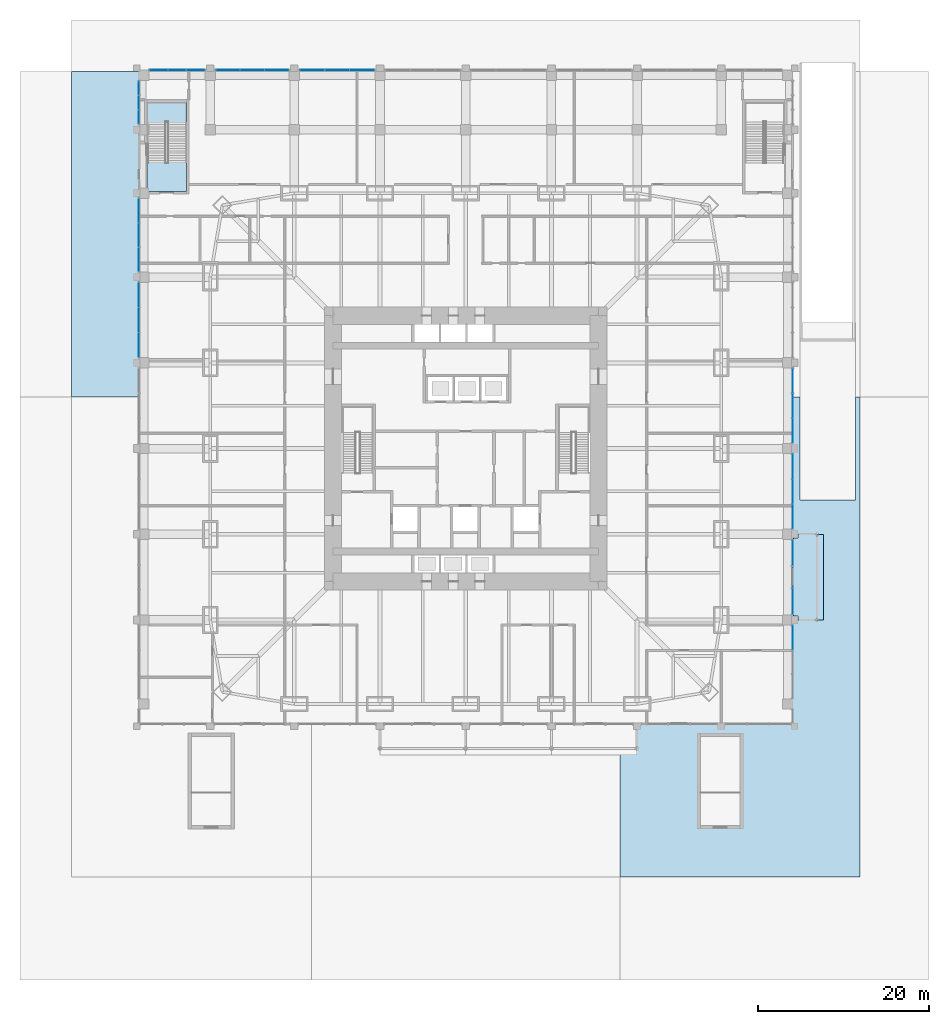
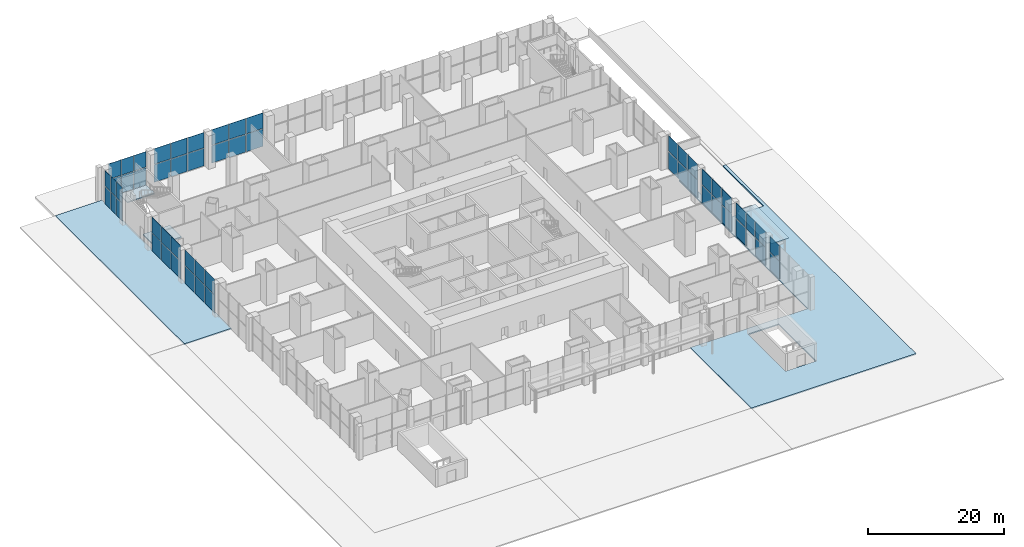
# One storey, part 20 of 31: 55 plates, 5 slabs, 13 elements without a shape of their own.
"""IFC4 building model written with IfcOpenShell, lengths in metres."""

from ifc_helpers import new_model, si_unit, direction, frame, origin, origin_2d, place, context, subcontext, project, spatial, polyline, rectangle, outline, extrude, material, layer, layer_set, type_object, element, aggregate, save


model = new_model("IFC4")

# Units and contexts
model_context = context("Model", 3, precision=1e-05, world=origin(), true_north=direction((0.0, 1.0)))
body_context = subcontext(model_context, "Body", "Model", "MODEL_VIEW")
ifc_project = project(units=[si_unit("LENGTHUNIT", "METRE"), si_unit("AREAUNIT", "SQUARE_METRE"), si_unit("VOLUMEUNIT", "CUBIC_METRE"), si_unit("PLANEANGLEUNIT", "RADIAN"), si_unit("MASSUNIT", "GRAM", prefix="KILO")], contexts=[model_context])

# Site, building, storey
site_placement = place(None, origin())
site = spatial("IfcSite", under=ifc_project, at=site_placement, CompositionType="ELEMENT")
building_placement = place(site_placement, origin())
building = spatial("IfcBuilding", under=site, at=building_placement, Name="Khuree Lantern Residences", CompositionType="ELEMENT")
storey_placement = place(building_placement, origin())
storey = spatial("IfcBuildingStorey", under=building, at=storey_placement, Name="L00", CompositionType="ELEMENT", Elevation=0.0)

# Slabs
ifc_material_1 = material(Name="Laminated glass on bronze anodised aluminium frame", Category="aluminium")
ifc_layer_1 = layer(ifc_material_1, 0.080078125)
ifc_layer_set_1 = layer_set([ifc_layer_1], Name="ENTRANCE CANOPY CN1 80")
slab_type_1 = type_object("IfcSlabType", Name="ENTRANCE CANOPY CN1 80", PredefinedType="USERDEFINED", material=ifc_layer_set_1)
slab_1_placement = place(storey_placement, frame((0.0, 0.0, 4.0)))
element("IfcSlab", 1, at=slab_1_placement, inside=storey, type_object=slab_type_1, Name="EAST FACE BAY 2 ENTRANCE CANOPY", ObjectType="Canopy", PredefinedType="USERDEFINED", context=body_context, shape_type="SweptSolid", body=[
    extrude(outline(polyline([(38.25, -19.550048828125), (38.25, -10.449951171875), (38.75, -10.449951171875), (38.75, -10.0), (41.75, -10.0), (41.75, -20.0), (38.75, -20.0), (38.75, -19.550048828125), (38.25, -19.550048828125)])), origin(), (0.0, 0.0, 1.0), 0.080078125),
])
ifc_material_2 = material(Name="Flamed granite setts on pedestals over the deck", Category="masonry")
ifc_layer_2 = layer(ifc_material_2, 0.199951171875)
ifc_layer_set_2 = layer_set([ifc_layer_2], Name="PLAZA PAVING")
slab_type_2 = type_object("IfcSlabType", Name="PLAZA PAVING", PredefinedType="USERDEFINED", material=ifc_layer_set_2)
slab_2_placement = place(storey_placement, frame((0.0, 0.0, -0.199951171875)))
element("IfcSlab", 2, at=slab_2_placement, inside=storey, type_object=slab_type_2, Name="PLAZA PAVING BAY 2", ObjectType="PAVING", PredefinedType="USERDEFINED", context=body_context, shape_type="SweptSolid", body=[
    extrude(outline(polyline([(38.0, -32.0), (38.0, 5.9951171875), (39.0, 5.9951171875), (39.0, -6.0), (45.5, -6.0), (45.5, 5.9951171875), (46.0, 5.9951171875), (46.0, -50.0), (18.0048828125, -50.0), (18.0048828125, -32.0), (38.0, -32.0)]), holes=[polyline([(27.10009765625, -44.300048828125), (32.300048828125, -44.300048828125), (32.300048828125, -33.300048828125), (27.10009765625, -33.300048828125), (27.10009765625, -44.300048828125)])]), origin(), (0.0, 0.0, 1.0), 0.199951171875),
])
slab_3_placement = place(storey_placement, frame((0.0, 0.0, -0.199951171875)))
element("IfcSlab", 3, at=slab_3_placement, inside=storey, type_object=slab_type_2, Name="PLAZA PAVING BAY 4", ObjectType="PAVING", PredefinedType="USERDEFINED", context=body_context, shape_type="SweptSolid", body=[
    extrude(outline(polyline([(-46.0, 44.0), (-38.0, 44.0), (-38.0, 6.0048828125), (-46.0, 6.0048828125), (-46.0, 44.0)])), origin(), (0.0, 0.0, 1.0), 0.199951171875),
])

# Stair, slabs
ifc_material_3 = material(Name="Concrete C40/50", Category="concrete")
stair_type = type_object("IfcStairType", Name="STAIR ST3 HALF TURN 4600", PredefinedType="HALF_TURN_STAIR", material=ifc_material_3)
stair_placement = place(storey_placement, origin())
stair = element("IfcStair", 4, at=stair_placement, inside=storey, type_object=stair_type, Name="Stair ST3", PredefinedType="HALF_TURN_STAIR")
ifc_layer_3 = layer(ifc_material_3, 0.199951171875)
ifc_layer_set_3 = layer_set([ifc_layer_3], Name="STAIR LANDING SL1 200")
slab_type_3 = type_object("IfcSlabType", Name="STAIR LANDING SL1 200", PredefinedType="LANDING", material=ifc_layer_set_3)
slab_4_placement = place(storey_placement, frame((0.0, 0.0, -0.199951171875)))
slab_4 = element("IfcSlab", 5, at=slab_4_placement, type_object=slab_type_3, Name="ST3 landing 1", PredefinedType="LANDING", context=body_context, shape_type="SweptSolid", body=[
    extrude(outline(polyline([(-37.199951171875, 30.0), (-32.60009765625, 30.0), (-32.60009765625, 33.43994140625), (-37.199951171875, 33.43994140625), (-37.199951171875, 30.0)])), origin(), (0.0, 0.0, 1.0), 0.199951171875),
])
slab_5_placement = place(storey_placement, frame((0.0, 0.0, 2.800048828125)))
slab_5 = element("IfcSlab", 6, at=slab_5_placement, type_object=slab_type_3, Name="ST3 landing 2", PredefinedType="LANDING", context=body_context, shape_type="SweptSolid", body=[
    extrude(outline(polyline([(-37.199951171875, 38.0), (-37.199951171875, 40.39990234375), (-32.60009765625, 40.39990234375), (-32.60009765625, 38.0), (-37.199951171875, 38.0)])), origin(), (0.0, 0.0, 1.0), 0.199951171875),
])
aggregate(stair, [slab_4, slab_5])

# Curtain wall, plates
ifc_material_4 = material(Name="Bronze anodised aluminium", Category="aluminium")
curtain_wall_type = type_object("IfcCurtainWallType", Name="CW-P PODIUM STOREFRONT CURTAIN WALL", PredefinedType="USERDEFINED", material=ifc_material_4)
curtain_wall_1_placement = place(storey_placement, origin())
curtain_wall_1 = element("IfcCurtainWall", 7, at=curtain_wall_1_placement, inside=storey, type_object=curtain_wall_type, Name="L00 EAST FACE BAY 1B STOREFRONT", ObjectType="Storefront curtain wall", PredefinedType="USERDEFINED")
ifc_material_5 = material(Name="Bronze tinted laminated triple glazing", Category="glass")
ifc_layer_4 = layer(ifc_material_5, 0.0400390625)
ifc_layer_set_4 = layer_set([ifc_layer_4], Name="STOREFRONT GLASS PANEL P9")
plate_type = type_object("IfcPlateType", Name="STOREFRONT GLASS PANEL P9", PredefinedType="CURTAIN_PANEL", material=ifc_layer_set_4)
plate_1_placement = place(storey_placement, frame((38.14990234375, -22.058349609375, 0.0), z_axis=(0.0, 0.0, 1.0), x_axis=(0.0, 1.0, 0.0)))
plate_1 = element("IfcPlate", 8, at=plate_1_placement, type_object=plate_type, Name="L00 EAST FACE BAY 1B PANEL 3.1", PredefinedType="CURTAIN_PANEL", context=body_context, shape_type="SweptSolid", body=[
    extrude(rectangle(XDim=2.7666015625, YDim=0.0400390625, at=origin_2d()), origin(), (0.0, 0.0, 1.0), 3.16259765625),
])
plate_2_placement = place(storey_placement, frame((38.14990234375, -22.058349609375, 3.2373046875), z_axis=(0.0, 0.0, 1.0), x_axis=(0.0, 1.0, 0.0)))
plate_2 = element("IfcPlate", 9, at=plate_2_placement, type_object=plate_type, Name="L00 EAST FACE BAY 1B PANEL 3.2", PredefinedType="CURTAIN_PANEL", context=body_context, shape_type="SweptSolid", body=[
    extrude(rectangle(XDim=2.7666015625, YDim=0.0400390625, at=origin_2d()), origin(), (0.0, 0.0, 1.0), 2.762451171875),
])
aggregate(curtain_wall_1, [plate_1, plate_2])

curtain_wall_2_placement = place(storey_placement, origin())
curtain_wall_2 = element("IfcCurtainWall", 10, at=curtain_wall_2_placement, inside=storey, type_object=curtain_wall_type, Name="L00 EAST FACE BAY 2 LEFT STOREFRONT", ObjectType="Storefront curtain wall", PredefinedType="USERDEFINED")
plate_3_placement = place(storey_placement, frame((38.14990234375, -17.85009765625, 0.0), z_axis=(0.0, 0.0, 1.0), x_axis=(0.0, 1.0, 0.0)))
plate_3 = element("IfcPlate", 11, at=plate_3_placement, type_object=plate_type, Name="L00 EAST FACE BAY 2 LEFT PANEL 1.1", PredefinedType="CURTAIN_PANEL", context=body_context, shape_type="SweptSolid", body=[
    extrude(rectangle(XDim=2.949951171875, YDim=0.0400390625, at=origin_2d()), origin(), (0.0, 0.0, 1.0), 3.16259765625),
])
plate_4_placement = place(storey_placement, frame((38.14990234375, -17.85009765625, 3.2373046875), z_axis=(0.0, 0.0, 1.0), x_axis=(0.0, 1.0, 0.0)))
plate_4 = element("IfcPlate", 12, at=plate_4_placement, type_object=plate_type, Name="L00 EAST FACE BAY 2 LEFT PANEL 1.2", PredefinedType="CURTAIN_PANEL", context=body_context, shape_type="SweptSolid", body=[
    extrude(rectangle(XDim=2.949951171875, YDim=0.0400390625, at=origin_2d()), origin(), (0.0, 0.0, 1.0), 2.762451171875),
])
aggregate(curtain_wall_2, [plate_3, plate_4])

curtain_wall_3_placement = place(storey_placement, origin())
curtain_wall_3 = element("IfcCurtainWall", 13, at=curtain_wall_3_placement, inside=storey, type_object=curtain_wall_type, Name="L00 EAST FACE BAY 2 RIGHT STOREFRONT", ObjectType="Storefront curtain wall", PredefinedType="USERDEFINED")
plate_5_placement = place(storey_placement, frame((38.14990234375, -12.14990234375, 0.0), z_axis=(0.0, 0.0, 1.0), x_axis=(0.0, 1.0, 0.0)))
plate_5 = element("IfcPlate", 14, at=plate_5_placement, type_object=plate_type, Name="L00 EAST FACE BAY 2 RIGHT PANEL 1.1", PredefinedType="CURTAIN_PANEL", context=body_context, shape_type="SweptSolid", body=[
    extrude(rectangle(XDim=2.949951171875, YDim=0.0400390625, at=origin_2d()), origin(), (0.0, 0.0, 1.0), 3.16259765625),
])
plate_6_placement = place(storey_placement, frame((38.14990234375, -12.14990234375, 3.2373046875), z_axis=(0.0, 0.0, 1.0), x_axis=(0.0, 1.0, 0.0)))
plate_6 = element("IfcPlate", 15, at=plate_6_placement, type_object=plate_type, Name="L00 EAST FACE BAY 2 RIGHT PANEL 1.2", PredefinedType="CURTAIN_PANEL", context=body_context, shape_type="SweptSolid", body=[
    extrude(rectangle(XDim=2.949951171875, YDim=0.0400390625, at=origin_2d()), origin(), (0.0, 0.0, 1.0), 2.762451171875),
])
aggregate(curtain_wall_3, [plate_5, plate_6])

# Curtain wall, plate
curtain_wall_4_placement = place(storey_placement, origin())
curtain_wall_4 = element("IfcCurtainWall", 16, at=curtain_wall_4_placement, inside=storey, type_object=curtain_wall_type, Name="L00 EAST FACE BAY 2 CLERESTORY STOREFRONT", ObjectType="Storefront curtain wall", PredefinedType="USERDEFINED")
plate_7_placement = place(storey_placement, frame((38.14990234375, -15.0, 3.2001953125), z_axis=(0.0, 0.0, 1.0), x_axis=(0.0, 1.0, 0.0)))
plate_7 = element("IfcPlate", 17, at=plate_7_placement, type_object=plate_type, Name="L00 EAST FACE BAY 2 CLERESTORY PANEL 1.1", PredefinedType="CURTAIN_PANEL", context=body_context, shape_type="SweptSolid", body=[
    extrude(rectangle(XDim=2.449951171875, YDim=0.0400390625, at=origin_2d()), origin(), (0.0, 0.0, 1.0), 2.800048828125),
])
aggregate(curtain_wall_4, [plate_7])

# Curtain wall, plates
curtain_wall_5_placement = place(storey_placement, origin())
curtain_wall_5 = element("IfcCurtainWall", 18, at=curtain_wall_5_placement, inside=storey, type_object=curtain_wall_type, Name="L00 EAST FACE BAY 3 STOREFRONT", ObjectType="Storefront curtain wall", PredefinedType="USERDEFINED")
plate_8_placement = place(storey_placement, frame((38.14990234375, -7.908447265625, 0.0), z_axis=(0.0, 0.0, 1.0), x_axis=(0.0, 1.0, 0.0)))
plate_8 = element("IfcPlate", 19, at=plate_8_placement, type_object=plate_type, Name="L00 EAST FACE BAY 3 PANEL 1.1", PredefinedType="CURTAIN_PANEL", context=body_context, shape_type="SweptSolid", body=[
    extrude(rectangle(XDim=2.833251953125, YDim=0.0400390625, at=origin_2d()), origin(), (0.0, 0.0, 1.0), 3.16259765625),
])
plate_9_placement = place(storey_placement, frame((38.14990234375, -7.908447265625, 3.2373046875), z_axis=(0.0, 0.0, 1.0), x_axis=(0.0, 1.0, 0.0)))
plate_9 = element("IfcPlate", 20, at=plate_9_placement, type_object=plate_type, Name="L00 EAST FACE BAY 3 PANEL 1.2", PredefinedType="CURTAIN_PANEL", context=body_context, shape_type="SweptSolid", body=[
    extrude(rectangle(XDim=2.833251953125, YDim=0.0400390625, at=origin_2d()), origin(), (0.0, 0.0, 1.0), 2.762451171875),
])
plate_10_placement = place(storey_placement, frame((38.14990234375, -5.0, 0.0), z_axis=(0.0, 0.0, 1.0), x_axis=(0.0, 1.0, 0.0)))
plate_10 = element("IfcPlate", 21, at=plate_10_placement, type_object=plate_type, Name="L00 EAST FACE BAY 3 PANEL 2.1", PredefinedType="CURTAIN_PANEL", context=body_context, shape_type="SweptSolid", body=[
    extrude(rectangle(XDim=2.833251953125, YDim=0.0400390625, at=origin_2d()), origin(), (0.0, 0.0, 1.0), 3.16259765625),
])
plate_11_placement = place(storey_placement, frame((38.14990234375, -5.0, 3.2373046875), z_axis=(0.0, 0.0, 1.0), x_axis=(0.0, 1.0, 0.0)))
plate_11 = element("IfcPlate", 22, at=plate_11_placement, type_object=plate_type, Name="L00 EAST FACE BAY 3 PANEL 2.2", PredefinedType="CURTAIN_PANEL", context=body_context, shape_type="SweptSolid", body=[
    extrude(rectangle(XDim=2.833251953125, YDim=0.0400390625, at=origin_2d()), origin(), (0.0, 0.0, 1.0), 2.762451171875),
])
plate_12_placement = place(storey_placement, frame((38.14990234375, -2.091552734375, 0.0), z_axis=(0.0, 0.0, 1.0), x_axis=(0.0, 1.0, 0.0)))
plate_12 = element("IfcPlate", 23, at=plate_12_placement, type_object=plate_type, Name="L00 EAST FACE BAY 3 PANEL 3.1", PredefinedType="CURTAIN_PANEL", context=body_context, shape_type="SweptSolid", body=[
    extrude(rectangle(XDim=2.833251953125, YDim=0.0400390625, at=origin_2d()), origin(), (0.0, 0.0, 1.0), 3.16259765625),
])
plate_13_placement = place(storey_placement, frame((38.14990234375, -2.091552734375, 3.2373046875), z_axis=(0.0, 0.0, 1.0), x_axis=(0.0, 1.0, 0.0)))
plate_13 = element("IfcPlate", 24, at=plate_13_placement, type_object=plate_type, Name="L00 EAST FACE BAY 3 PANEL 3.2", PredefinedType="CURTAIN_PANEL", context=body_context, shape_type="SweptSolid", body=[
    extrude(rectangle(XDim=2.833251953125, YDim=0.0400390625, at=origin_2d()), origin(), (0.0, 0.0, 1.0), 2.762451171875),
])
aggregate(curtain_wall_5, [plate_8, plate_9, plate_10, plate_11, plate_12, plate_13])

curtain_wall_6_placement = place(storey_placement, origin())
curtain_wall_6 = element("IfcCurtainWall", 25, at=curtain_wall_6_placement, inside=storey, type_object=curtain_wall_type, Name="L00 EAST FACE BAY 4 STOREFRONT", ObjectType="Storefront curtain wall", PredefinedType="USERDEFINED")
plate_14_placement = place(storey_placement, frame((38.14990234375, 2.091552734375, 0.0), z_axis=(0.0, 0.0, 1.0), x_axis=(0.0, 1.0, 0.0)))
plate_14 = element("IfcPlate", 26, at=plate_14_placement, type_object=plate_type, Name="L00 EAST FACE BAY 4 PANEL 1.1", PredefinedType="CURTAIN_PANEL", context=body_context, shape_type="SweptSolid", body=[
    extrude(rectangle(XDim=2.833251953125, YDim=0.0400390625, at=origin_2d()), origin(), (0.0, 0.0, 1.0), 3.16259765625),
])
plate_15_placement = place(storey_placement, frame((38.14990234375, 2.091552734375, 3.2373046875), z_axis=(0.0, 0.0, 1.0), x_axis=(0.0, 1.0, 0.0)))
plate_15 = element("IfcPlate", 27, at=plate_15_placement, type_object=plate_type, Name="L00 EAST FACE BAY 4 PANEL 1.2", PredefinedType="CURTAIN_PANEL", context=body_context, shape_type="SweptSolid", body=[
    extrude(rectangle(XDim=2.833251953125, YDim=0.0400390625, at=origin_2d()), origin(), (0.0, 0.0, 1.0), 2.762451171875),
])
plate_16_placement = place(storey_placement, frame((38.14990234375, 5.0, 0.0), z_axis=(0.0, 0.0, 1.0), x_axis=(0.0, 1.0, 0.0)))
plate_16 = element("IfcPlate", 28, at=plate_16_placement, type_object=plate_type, Name="L00 EAST FACE BAY 4 PANEL 2.1", PredefinedType="CURTAIN_PANEL", context=body_context, shape_type="SweptSolid", body=[
    extrude(rectangle(XDim=2.833251953125, YDim=0.0400390625, at=origin_2d()), origin(), (0.0, 0.0, 1.0), 3.16259765625),
])
plate_17_placement = place(storey_placement, frame((38.14990234375, 5.0, 3.2373046875), z_axis=(0.0, 0.0, 1.0), x_axis=(0.0, 1.0, 0.0)))
plate_17 = element("IfcPlate", 29, at=plate_17_placement, type_object=plate_type, Name="L00 EAST FACE BAY 4 PANEL 2.2", PredefinedType="CURTAIN_PANEL", context=body_context, shape_type="SweptSolid", body=[
    extrude(rectangle(XDim=2.833251953125, YDim=0.0400390625, at=origin_2d()), origin(), (0.0, 0.0, 1.0), 2.762451171875),
])
plate_18_placement = place(storey_placement, frame((38.14990234375, 7.908447265625, 0.0), z_axis=(0.0, 0.0, 1.0), x_axis=(0.0, 1.0, 0.0)))
plate_18 = element("IfcPlate", 30, at=plate_18_placement, type_object=plate_type, Name="L00 EAST FACE BAY 4 PANEL 3.1", PredefinedType="CURTAIN_PANEL", context=body_context, shape_type="SweptSolid", body=[
    extrude(rectangle(XDim=2.833251953125, YDim=0.0400390625, at=origin_2d()), origin(), (0.0, 0.0, 1.0), 3.16259765625),
])
plate_19_placement = place(storey_placement, frame((38.14990234375, 7.908447265625, 3.2373046875), z_axis=(0.0, 0.0, 1.0), x_axis=(0.0, 1.0, 0.0)))
plate_19 = element("IfcPlate", 31, at=plate_19_placement, type_object=plate_type, Name="L00 EAST FACE BAY 4 PANEL 3.2", PredefinedType="CURTAIN_PANEL", context=body_context, shape_type="SweptSolid", body=[
    extrude(rectangle(XDim=2.833251953125, YDim=0.0400390625, at=origin_2d()), origin(), (0.0, 0.0, 1.0), 2.762451171875),
])
aggregate(curtain_wall_6, [plate_14, plate_15, plate_16, plate_17, plate_18, plate_19])

curtain_wall_7_placement = place(storey_placement, origin())
curtain_wall_7 = element("IfcCurtainWall", 32, at=curtain_wall_7_placement, inside=storey, type_object=curtain_wall_type, Name="L00 NORTH FACE BAY 6 STOREFRONT", ObjectType="Storefront curtain wall", PredefinedType="USERDEFINED")
plate_20_placement = place(storey_placement, frame((-12.091552734375, 44.14990234375, 0.0), z_axis=(0.0, 0.0, 1.0), x_axis=(-1.0, 0.0, 0.0)))
plate_20 = element("IfcPlate", 33, at=plate_20_placement, type_object=plate_type, Name="L00 NORTH FACE BAY 6 PANEL 1.1", PredefinedType="CURTAIN_PANEL", context=body_context, shape_type="SweptSolid", body=[
    extrude(rectangle(XDim=2.833251953125, YDim=0.0400390625, at=origin_2d()), origin(), (0.0, 0.0, 1.0), 3.16259765625),
])
plate_21_placement = place(storey_placement, frame((-12.091552734375, 44.14990234375, 3.2373046875), z_axis=(0.0, 0.0, 1.0), x_axis=(-1.0, 0.0, 0.0)))
plate_21 = element("IfcPlate", 34, at=plate_21_placement, type_object=plate_type, Name="L00 NORTH FACE BAY 6 PANEL 1.2", PredefinedType="CURTAIN_PANEL", context=body_context, shape_type="SweptSolid", body=[
    extrude(rectangle(XDim=2.833251953125, YDim=0.0400390625, at=origin_2d()), origin(), (0.0, 0.0, 1.0), 2.762451171875),
])
plate_22_placement = place(storey_placement, frame((-15.0, 44.14990234375, 0.0), z_axis=(0.0, 0.0, 1.0), x_axis=(-1.0, 0.0, 0.0)))
plate_22 = element("IfcPlate", 35, at=plate_22_placement, type_object=plate_type, Name="L00 NORTH FACE BAY 6 PANEL 2.1", PredefinedType="CURTAIN_PANEL", context=body_context, shape_type="SweptSolid", body=[
    extrude(rectangle(XDim=2.833251953125, YDim=0.0400390625, at=origin_2d()), origin(), (0.0, 0.0, 1.0), 3.16259765625),
])
plate_23_placement = place(storey_placement, frame((-15.0, 44.14990234375, 3.2373046875), z_axis=(0.0, 0.0, 1.0), x_axis=(-1.0, 0.0, 0.0)))
plate_23 = element("IfcPlate", 36, at=plate_23_placement, type_object=plate_type, Name="L00 NORTH FACE BAY 6 PANEL 2.2", PredefinedType="CURTAIN_PANEL", context=body_context, shape_type="SweptSolid", body=[
    extrude(rectangle(XDim=2.833251953125, YDim=0.0400390625, at=origin_2d()), origin(), (0.0, 0.0, 1.0), 2.762451171875),
])
plate_24_placement = place(storey_placement, frame((-17.908447265625, 44.14990234375, 0.0), z_axis=(0.0, 0.0, 1.0), x_axis=(-1.0, 0.0, 0.0)))
plate_24 = element("IfcPlate", 37, at=plate_24_placement, type_object=plate_type, Name="L00 NORTH FACE BAY 6 PANEL 3.1", PredefinedType="CURTAIN_PANEL", context=body_context, shape_type="SweptSolid", body=[
    extrude(rectangle(XDim=2.833251953125, YDim=0.0400390625, at=origin_2d()), origin(), (0.0, 0.0, 1.0), 3.16259765625),
])
plate_25_placement = place(storey_placement, frame((-17.908447265625, 44.14990234375, 3.2373046875), z_axis=(0.0, 0.0, 1.0), x_axis=(-1.0, 0.0, 0.0)))
plate_25 = element("IfcPlate", 38, at=plate_25_placement, type_object=plate_type, Name="L00 NORTH FACE BAY 6 PANEL 3.2", PredefinedType="CURTAIN_PANEL", context=body_context, shape_type="SweptSolid", body=[
    extrude(rectangle(XDim=2.833251953125, YDim=0.0400390625, at=origin_2d()), origin(), (0.0, 0.0, 1.0), 2.762451171875),
])
aggregate(curtain_wall_7, [plate_20, plate_21, plate_22, plate_23, plate_24, plate_25])

curtain_wall_8_placement = place(storey_placement, origin())
curtain_wall_8 = element("IfcCurtainWall", 39, at=curtain_wall_8_placement, inside=storey, type_object=curtain_wall_type, Name="L00 NORTH FACE BAY 7 STOREFRONT", ObjectType="Storefront curtain wall", PredefinedType="USERDEFINED")
plate_26_placement = place(storey_placement, frame((-22.058349609375, 44.14990234375, 0.0), z_axis=(0.0, 0.0, 1.0), x_axis=(-1.0, 0.0, 0.0)))
plate_26 = element("IfcPlate", 40, at=plate_26_placement, type_object=plate_type, Name="L00 NORTH FACE BAY 7 PANEL 1.1", PredefinedType="CURTAIN_PANEL", context=body_context, shape_type="SweptSolid", body=[
    extrude(rectangle(XDim=2.7666015625, YDim=0.0400390625, at=origin_2d()), origin(), (0.0, 0.0, 1.0), 3.16259765625),
])
plate_27_placement = place(storey_placement, frame((-22.058349609375, 44.14990234375, 3.2373046875), z_axis=(0.0, 0.0, 1.0), x_axis=(-1.0, 0.0, 0.0)))
plate_27 = element("IfcPlate", 41, at=plate_27_placement, type_object=plate_type, Name="L00 NORTH FACE BAY 7 PANEL 1.2", PredefinedType="CURTAIN_PANEL", context=body_context, shape_type="SweptSolid", body=[
    extrude(rectangle(XDim=2.7666015625, YDim=0.0400390625, at=origin_2d()), origin(), (0.0, 0.0, 1.0), 2.762451171875),
])
plate_28_placement = place(storey_placement, frame((-24.89990234375, 44.14990234375, 0.0), z_axis=(0.0, 0.0, 1.0), x_axis=(-1.0, 0.0, 0.0)))
plate_28 = element("IfcPlate", 42, at=plate_28_placement, type_object=plate_type, Name="L00 NORTH FACE BAY 7 PANEL 2.1", PredefinedType="CURTAIN_PANEL", context=body_context, shape_type="SweptSolid", body=[
    extrude(rectangle(XDim=2.7666015625, YDim=0.0400390625, at=origin_2d()), origin(), (0.0, 0.0, 1.0), 3.16259765625),
])
plate_29_placement = place(storey_placement, frame((-24.89990234375, 44.14990234375, 3.2373046875), z_axis=(0.0, 0.0, 1.0), x_axis=(-1.0, 0.0, 0.0)))
plate_29 = element("IfcPlate", 43, at=plate_29_placement, type_object=plate_type, Name="L00 NORTH FACE BAY 7 PANEL 2.2", PredefinedType="CURTAIN_PANEL", context=body_context, shape_type="SweptSolid", body=[
    extrude(rectangle(XDim=2.7666015625, YDim=0.0400390625, at=origin_2d()), origin(), (0.0, 0.0, 1.0), 2.762451171875),
])
plate_30_placement = place(storey_placement, frame((-27.74169921875, 44.14990234375, 0.0), z_axis=(0.0, 0.0, 1.0), x_axis=(-1.0, 0.0, 0.0)))
plate_30 = element("IfcPlate", 44, at=plate_30_placement, type_object=plate_type, Name="L00 NORTH FACE BAY 7 PANEL 3.1", PredefinedType="CURTAIN_PANEL", context=body_context, shape_type="SweptSolid", body=[
    extrude(rectangle(XDim=2.7666015625, YDim=0.0400390625, at=origin_2d()), origin(), (0.0, 0.0, 1.0), 3.16259765625),
])
plate_31_placement = place(storey_placement, frame((-27.74169921875, 44.14990234375, 3.2373046875), z_axis=(0.0, 0.0, 1.0), x_axis=(-1.0, 0.0, 0.0)))
plate_31 = element("IfcPlate", 45, at=plate_31_placement, type_object=plate_type, Name="L00 NORTH FACE BAY 7 PANEL 3.2", PredefinedType="CURTAIN_PANEL", context=body_context, shape_type="SweptSolid", body=[
    extrude(rectangle(XDim=2.7666015625, YDim=0.0400390625, at=origin_2d()), origin(), (0.0, 0.0, 1.0), 2.762451171875),
])
aggregate(curtain_wall_8, [plate_26, plate_27, plate_28, plate_29, plate_30, plate_31])

curtain_wall_9_placement = place(storey_placement, origin())
curtain_wall_9 = element("IfcCurtainWall", 46, at=curtain_wall_9_placement, inside=storey, type_object=curtain_wall_type, Name="L00 NORTH FACE BAY 8 STOREFRONT", ObjectType="Storefront curtain wall", PredefinedType="USERDEFINED")
plate_32_placement = place(storey_placement, frame((-31.5166015625, 44.14990234375, 0.0), z_axis=(0.0, 0.0, 1.0), x_axis=(-1.0, 0.0, 0.0)))
plate_32 = element("IfcPlate", 47, at=plate_32_placement, type_object=plate_type, Name="L00 NORTH FACE BAY 8 PANEL 1.1", PredefinedType="CURTAIN_PANEL", context=body_context, shape_type="SweptSolid", body=[
    extrude(rectangle(XDim=2.083251953125, YDim=0.0400390625, at=origin_2d()), origin(), (0.0, 0.0, 1.0), 3.16259765625),
])
plate_33_placement = place(storey_placement, frame((-31.5166015625, 44.14990234375, 3.2373046875), z_axis=(0.0, 0.0, 1.0), x_axis=(-1.0, 0.0, 0.0)))
plate_33 = element("IfcPlate", 48, at=plate_33_placement, type_object=plate_type, Name="L00 NORTH FACE BAY 8 PANEL 1.2", PredefinedType="CURTAIN_PANEL", context=body_context, shape_type="SweptSolid", body=[
    extrude(rectangle(XDim=2.083251953125, YDim=0.0400390625, at=origin_2d()), origin(), (0.0, 0.0, 1.0), 2.762451171875),
])
plate_34_placement = place(storey_placement, frame((-33.675048828125, 44.14990234375, 0.0), z_axis=(0.0, 0.0, 1.0), x_axis=(-1.0, 0.0, 0.0)))
plate_34 = element("IfcPlate", 49, at=plate_34_placement, type_object=plate_type, Name="L00 NORTH FACE BAY 8 PANEL 2.1", PredefinedType="CURTAIN_PANEL", context=body_context, shape_type="SweptSolid", body=[
    extrude(rectangle(XDim=2.083251953125, YDim=0.0400390625, at=origin_2d()), origin(), (0.0, 0.0, 1.0), 3.16259765625),
])
plate_35_placement = place(storey_placement, frame((-33.675048828125, 44.14990234375, 3.2373046875), z_axis=(0.0, 0.0, 1.0), x_axis=(-1.0, 0.0, 0.0)))
plate_35 = element("IfcPlate", 50, at=plate_35_placement, type_object=plate_type, Name="L00 NORTH FACE BAY 8 PANEL 2.2", PredefinedType="CURTAIN_PANEL", context=body_context, shape_type="SweptSolid", body=[
    extrude(rectangle(XDim=2.083251953125, YDim=0.0400390625, at=origin_2d()), origin(), (0.0, 0.0, 1.0), 2.762451171875),
])
plate_36_placement = place(storey_placement, frame((-35.833251953125, 44.14990234375, 0.0), z_axis=(0.0, 0.0, 1.0), x_axis=(-1.0, 0.0, 0.0)))
plate_36 = element("IfcPlate", 51, at=plate_36_placement, type_object=plate_type, Name="L00 NORTH FACE BAY 8 PANEL 3.1", PredefinedType="CURTAIN_PANEL", context=body_context, shape_type="SweptSolid", body=[
    extrude(rectangle(XDim=2.083251953125, YDim=0.0400390625, at=origin_2d()), origin(), (0.0, 0.0, 1.0), 3.16259765625),
])
plate_37_placement = place(storey_placement, frame((-35.833251953125, 44.14990234375, 3.2373046875), z_axis=(0.0, 0.0, 1.0), x_axis=(-1.0, 0.0, 0.0)))
plate_37 = element("IfcPlate", 52, at=plate_37_placement, type_object=plate_type, Name="L00 NORTH FACE BAY 8 PANEL 3.2", PredefinedType="CURTAIN_PANEL", context=body_context, shape_type="SweptSolid", body=[
    extrude(rectangle(XDim=2.083251953125, YDim=0.0400390625, at=origin_2d()), origin(), (0.0, 0.0, 1.0), 2.762451171875),
])
aggregate(curtain_wall_9, [plate_32, plate_33, plate_34, plate_35, plate_36, plate_37])

curtain_wall_10_placement = place(storey_placement, origin())
curtain_wall_10 = element("IfcCurtainWall", 53, at=curtain_wall_10_placement, inside=storey, type_object=curtain_wall_type, Name="L00 WEST FACE BAY 1 STOREFRONT", ObjectType="Storefront curtain wall", PredefinedType="USERDEFINED")
plate_38_placement = place(storey_placement, frame((-38.14990234375, 42.066650390625, 0.0), z_axis=(0.0, 0.0, 1.0), x_axis=(0.0, -1.0, 0.0)))
plate_38 = element("IfcPlate", 54, at=plate_38_placement, type_object=plate_type, Name="L00 WEST FACE BAY 1 PANEL 1.1", PredefinedType="CURTAIN_PANEL", context=body_context, shape_type="SweptSolid", body=[
    extrude(rectangle(XDim=1.61669921875, YDim=0.0400390625, at=origin_2d()), origin(), (0.0, 0.0, 1.0), 3.16259765625),
])
plate_39_placement = place(storey_placement, frame((-38.14990234375, 42.066650390625, 3.2373046875), z_axis=(0.0, 0.0, 1.0), x_axis=(0.0, -1.0, 0.0)))
plate_39 = element("IfcPlate", 55, at=plate_39_placement, type_object=plate_type, Name="L00 WEST FACE BAY 1 PANEL 1.2", PredefinedType="CURTAIN_PANEL", context=body_context, shape_type="SweptSolid", body=[
    extrude(rectangle(XDim=1.61669921875, YDim=0.0400390625, at=origin_2d()), origin(), (0.0, 0.0, 1.0), 2.762451171875),
])
plate_40_placement = place(storey_placement, frame((-38.14990234375, 40.375, 0.0), z_axis=(0.0, 0.0, 1.0), x_axis=(0.0, -1.0, 0.0)))
plate_40 = element("IfcPlate", 56, at=plate_40_placement, type_object=plate_type, Name="L00 WEST FACE BAY 1 PANEL 2.1", PredefinedType="CURTAIN_PANEL", context=body_context, shape_type="SweptSolid", body=[
    extrude(rectangle(XDim=1.61669921875, YDim=0.0400390625, at=origin_2d()), origin(), (0.0, 0.0, 1.0), 3.16259765625),
])
plate_41_placement = place(storey_placement, frame((-38.14990234375, 40.375, 3.2373046875), z_axis=(0.0, 0.0, 1.0), x_axis=(0.0, -1.0, 0.0)))
plate_41 = element("IfcPlate", 57, at=plate_41_placement, type_object=plate_type, Name="L00 WEST FACE BAY 1 PANEL 2.2", PredefinedType="CURTAIN_PANEL", context=body_context, shape_type="SweptSolid", body=[
    extrude(rectangle(XDim=1.61669921875, YDim=0.0400390625, at=origin_2d()), origin(), (0.0, 0.0, 1.0), 2.762451171875),
])
plate_42_placement = place(storey_placement, frame((-38.14990234375, 38.683349609375, 0.0), z_axis=(0.0, 0.0, 1.0), x_axis=(0.0, -1.0, 0.0)))
plate_42 = element("IfcPlate", 58, at=plate_42_placement, type_object=plate_type, Name="L00 WEST FACE BAY 1 PANEL 3.1", PredefinedType="CURTAIN_PANEL", context=body_context, shape_type="SweptSolid", body=[
    extrude(rectangle(XDim=1.61669921875, YDim=0.0400390625, at=origin_2d()), origin(), (0.0, 0.0, 1.0), 3.16259765625),
])
plate_43_placement = place(storey_placement, frame((-38.14990234375, 38.683349609375, 3.2373046875), z_axis=(0.0, 0.0, 1.0), x_axis=(0.0, -1.0, 0.0)))
plate_43 = element("IfcPlate", 59, at=plate_43_placement, type_object=plate_type, Name="L00 WEST FACE BAY 1 PANEL 3.2", PredefinedType="CURTAIN_PANEL", context=body_context, shape_type="SweptSolid", body=[
    extrude(rectangle(XDim=1.61669921875, YDim=0.0400390625, at=origin_2d()), origin(), (0.0, 0.0, 1.0), 2.762451171875),
])
aggregate(curtain_wall_10, [plate_38, plate_39, plate_40, plate_41, plate_42, plate_43])

curtain_wall_11_placement = place(storey_placement, origin())
curtain_wall_11 = element("IfcCurtainWall", 60, at=curtain_wall_11_placement, inside=storey, type_object=curtain_wall_type, Name="L00 WEST FACE BAY 3 STOREFRONT", ObjectType="Storefront curtain wall", PredefinedType="USERDEFINED")
plate_44_placement = place(storey_placement, frame((-38.14990234375, 27.74169921875, 0.0), z_axis=(0.0, 0.0, 1.0), x_axis=(0.0, -1.0, 0.0)))
plate_44 = element("IfcPlate", 61, at=plate_44_placement, type_object=plate_type, Name="L00 WEST FACE BAY 3 PANEL 1.1", PredefinedType="CURTAIN_PANEL", context=body_context, shape_type="SweptSolid", body=[
    extrude(rectangle(XDim=2.7666015625, YDim=0.0400390625, at=origin_2d()), origin(), (0.0, 0.0, 1.0), 3.16259765625),
])
plate_45_placement = place(storey_placement, frame((-38.14990234375, 27.74169921875, 3.2373046875), z_axis=(0.0, 0.0, 1.0), x_axis=(0.0, -1.0, 0.0)))
plate_45 = element("IfcPlate", 62, at=plate_45_placement, type_object=plate_type, Name="L00 WEST FACE BAY 3 PANEL 1.2", PredefinedType="CURTAIN_PANEL", context=body_context, shape_type="SweptSolid", body=[
    extrude(rectangle(XDim=2.7666015625, YDim=0.0400390625, at=origin_2d()), origin(), (0.0, 0.0, 1.0), 2.762451171875),
])
plate_46_placement = place(storey_placement, frame((-38.14990234375, 24.89990234375, 0.0), z_axis=(0.0, 0.0, 1.0), x_axis=(0.0, -1.0, 0.0)))
plate_46 = element("IfcPlate", 63, at=plate_46_placement, type_object=plate_type, Name="L00 WEST FACE BAY 3 PANEL 2.1", PredefinedType="CURTAIN_PANEL", context=body_context, shape_type="SweptSolid", body=[
    extrude(rectangle(XDim=2.7666015625, YDim=0.0400390625, at=origin_2d()), origin(), (0.0, 0.0, 1.0), 3.16259765625),
])
plate_47_placement = place(storey_placement, frame((-38.14990234375, 24.89990234375, 3.2373046875), z_axis=(0.0, 0.0, 1.0), x_axis=(0.0, -1.0, 0.0)))
plate_47 = element("IfcPlate", 64, at=plate_47_placement, type_object=plate_type, Name="L00 WEST FACE BAY 3 PANEL 2.2", PredefinedType="CURTAIN_PANEL", context=body_context, shape_type="SweptSolid", body=[
    extrude(rectangle(XDim=2.7666015625, YDim=0.0400390625, at=origin_2d()), origin(), (0.0, 0.0, 1.0), 2.762451171875),
])
plate_48_placement = place(storey_placement, frame((-38.14990234375, 22.058349609375, 0.0), z_axis=(0.0, 0.0, 1.0), x_axis=(0.0, -1.0, 0.0)))
plate_48 = element("IfcPlate", 65, at=plate_48_placement, type_object=plate_type, Name="L00 WEST FACE BAY 3 PANEL 3.1", PredefinedType="CURTAIN_PANEL", context=body_context, shape_type="SweptSolid", body=[
    extrude(rectangle(XDim=2.7666015625, YDim=0.0400390625, at=origin_2d()), origin(), (0.0, 0.0, 1.0), 3.16259765625),
])
plate_49_placement = place(storey_placement, frame((-38.14990234375, 22.058349609375, 3.2373046875), z_axis=(0.0, 0.0, 1.0), x_axis=(0.0, -1.0, 0.0)))
plate_49 = element("IfcPlate", 66, at=plate_49_placement, type_object=plate_type, Name="L00 WEST FACE BAY 3 PANEL 3.2", PredefinedType="CURTAIN_PANEL", context=body_context, shape_type="SweptSolid", body=[
    extrude(rectangle(XDim=2.7666015625, YDim=0.0400390625, at=origin_2d()), origin(), (0.0, 0.0, 1.0), 2.762451171875),
])
aggregate(curtain_wall_11, [plate_44, plate_45, plate_46, plate_47, plate_48, plate_49])

curtain_wall_12_placement = place(storey_placement, origin())
curtain_wall_12 = element("IfcCurtainWall", 67, at=curtain_wall_12_placement, inside=storey, type_object=curtain_wall_type, Name="L00 WEST FACE BAY 4 STOREFRONT", ObjectType="Storefront curtain wall", PredefinedType="USERDEFINED")
plate_50_placement = place(storey_placement, frame((-38.14990234375, 17.908447265625, 0.0), z_axis=(0.0, 0.0, 1.0), x_axis=(0.0, -1.0, 0.0)))
plate_50 = element("IfcPlate", 68, at=plate_50_placement, type_object=plate_type, Name="L00 WEST FACE BAY 4 PANEL 1.1", PredefinedType="CURTAIN_PANEL", context=body_context, shape_type="SweptSolid", body=[
    extrude(rectangle(XDim=2.833251953125, YDim=0.0400390625, at=origin_2d()), origin(), (0.0, 0.0, 1.0), 3.16259765625),
])
plate_51_placement = place(storey_placement, frame((-38.14990234375, 17.908447265625, 3.2373046875), z_axis=(0.0, 0.0, 1.0), x_axis=(0.0, -1.0, 0.0)))
plate_51 = element("IfcPlate", 69, at=plate_51_placement, type_object=plate_type, Name="L00 WEST FACE BAY 4 PANEL 1.2", PredefinedType="CURTAIN_PANEL", context=body_context, shape_type="SweptSolid", body=[
    extrude(rectangle(XDim=2.833251953125, YDim=0.0400390625, at=origin_2d()), origin(), (0.0, 0.0, 1.0), 2.762451171875),
])
plate_52_placement = place(storey_placement, frame((-38.14990234375, 15.0, 0.0), z_axis=(0.0, 0.0, 1.0), x_axis=(0.0, -1.0, 0.0)))
plate_52 = element("IfcPlate", 70, at=plate_52_placement, type_object=plate_type, Name="L00 WEST FACE BAY 4 PANEL 2.1", PredefinedType="CURTAIN_PANEL", context=body_context, shape_type="SweptSolid", body=[
    extrude(rectangle(XDim=2.833251953125, YDim=0.0400390625, at=origin_2d()), origin(), (0.0, 0.0, 1.0), 3.16259765625),
])
plate_53_placement = place(storey_placement, frame((-38.14990234375, 15.0, 3.2373046875), z_axis=(0.0, 0.0, 1.0), x_axis=(0.0, -1.0, 0.0)))
plate_53 = element("IfcPlate", 71, at=plate_53_placement, type_object=plate_type, Name="L00 WEST FACE BAY 4 PANEL 2.2", PredefinedType="CURTAIN_PANEL", context=body_context, shape_type="SweptSolid", body=[
    extrude(rectangle(XDim=2.833251953125, YDim=0.0400390625, at=origin_2d()), origin(), (0.0, 0.0, 1.0), 2.762451171875),
])
plate_54_placement = place(storey_placement, frame((-38.14990234375, 12.091552734375, 0.0), z_axis=(0.0, 0.0, 1.0), x_axis=(0.0, -1.0, 0.0)))
plate_54 = element("IfcPlate", 72, at=plate_54_placement, type_object=plate_type, Name="L00 WEST FACE BAY 4 PANEL 3.1", PredefinedType="CURTAIN_PANEL", context=body_context, shape_type="SweptSolid", body=[
    extrude(rectangle(XDim=2.833251953125, YDim=0.0400390625, at=origin_2d()), origin(), (0.0, 0.0, 1.0), 3.16259765625),
])
plate_55_placement = place(storey_placement, frame((-38.14990234375, 12.091552734375, 3.2373046875), z_axis=(0.0, 0.0, 1.0), x_axis=(0.0, -1.0, 0.0)))
plate_55 = element("IfcPlate", 73, at=plate_55_placement, type_object=plate_type, Name="L00 WEST FACE BAY 4 PANEL 3.2", PredefinedType="CURTAIN_PANEL", context=body_context, shape_type="SweptSolid", body=[
    extrude(rectangle(XDim=2.833251953125, YDim=0.0400390625, at=origin_2d()), origin(), (0.0, 0.0, 1.0), 2.762451171875),
])
aggregate(curtain_wall_12, [plate_50, plate_51, plate_52, plate_53, plate_54, plate_55])

save(model, "model.ifc")
